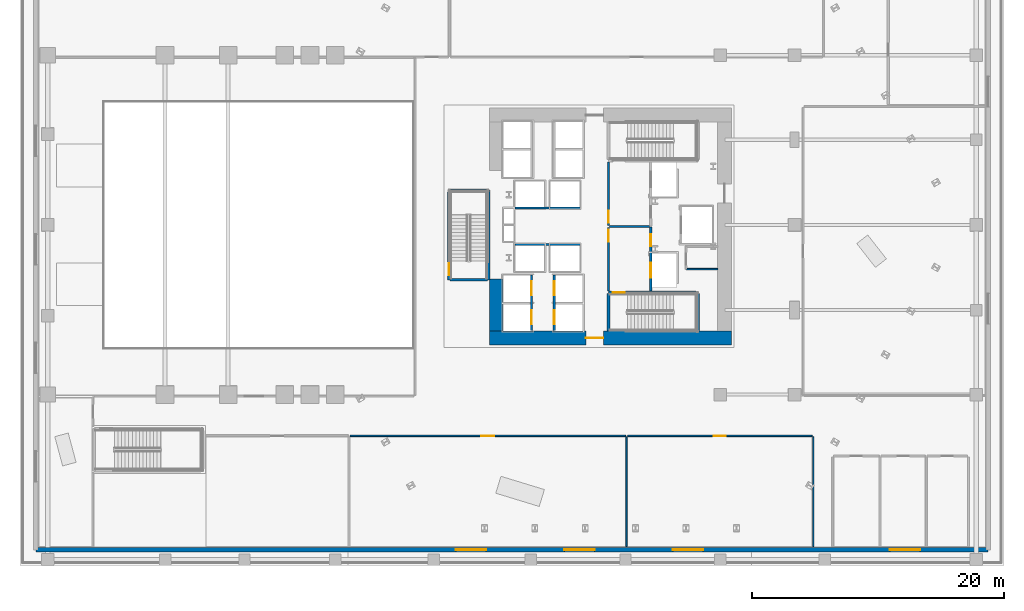
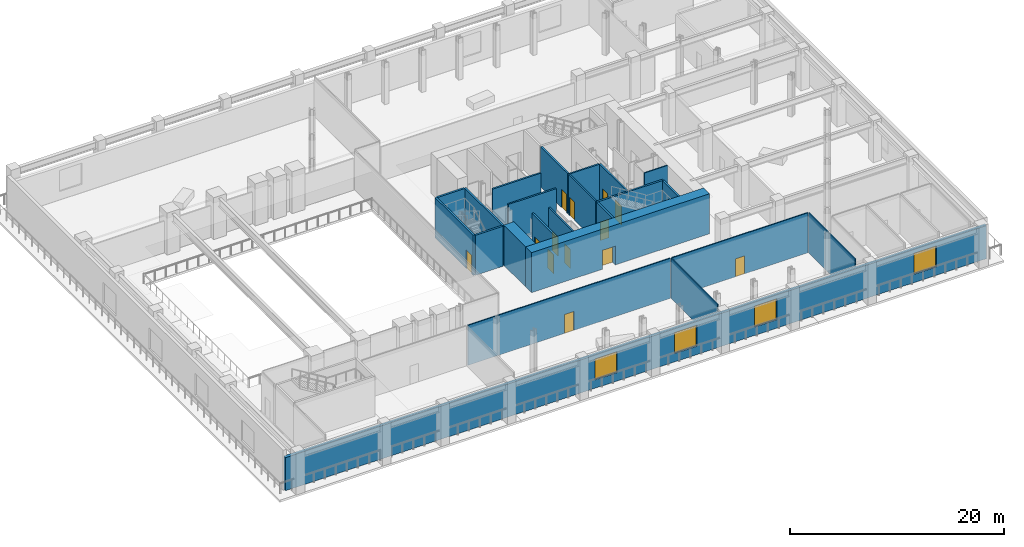
# One storey, part 4 of 19: 23 walls, 13 doors, 4 windows, 17 openings.
"""IFC4 building model written with IfcOpenShell, lengths in metres."""

import ifcopenshell
import ifcopenshell.guid

model = None  # the IFC model being written
_history = None  # IfcOwnerHistory: only IFC2X3 demands one
_inside = {}  # id of a spatial element -> (the spatial element, [elements in it])
_under = {}  # id of a project, library or spatial element -> (it, [spatial elements below it])
_declared = {}  # id of a project -> (the project, [libraries it declares])
_typed = {}  # id of a type object -> (the type object, [elements of that type])
_made_of = {}  # id of a material, layer set ... -> (it, [elements and type objects made of it])


def new_model(schema):
    """Start an empty IFC model of exactly this schema.

    Asked for "IFC4X3", IfcOpenShell would pick the latest addendum, in which some entities
    have other attributes; the version numbers below select the first issue.
    IFC2X3 requires an IfcOwnerHistory on every rooted entity: one is made here for all.
    """
    global model, _history
    if schema == "IFC4X3":
        model = ifcopenshell.file(schema_version=(4, 3, 0, 0))
    else:
        model = ifcopenshell.file(schema=schema)
    _inside.clear()
    _under.clear()
    _declared.clear()
    _typed.clear()
    _made_of.clear()
    _history = None
    if model.schema == "IFC2X3":
        org = make("IfcOrganization", Name="unknown")
        user = make(
            "IfcPersonAndOrganization",
            ThePerson=make("IfcPerson", FamilyName="unknown"),
            TheOrganization=org,
        )
        app = make(
            "IfcApplication",
            ApplicationDeveloper=org,
            Version="unknown",
            ApplicationFullName="unknown",
            ApplicationIdentifier="unknown",
        )
        _history = make(
            "IfcOwnerHistory",
            OwningUser=user,
            OwningApplication=app,
            ChangeAction="ADDED",
            CreationDate=0,
        )
    return model


def make(cls, **values):
    """One entity of the class cls with the attributes given. An attribute that is None is left unset."""
    return model.create_entity(
        cls, **{name: value for name, value in values.items() if value is not None}
    )


def rooted(cls, **values):
    """An entity with a GlobalId (a new one), such as an element, a storey or a relation."""
    return make(cls, GlobalId=ifcopenshell.guid.new(), OwnerHistory=_history, **values)


def si_unit(unit_type, name, prefix=None):
    """IfcSIUnit, for example si_unit("LENGTHUNIT", "METRE", prefix="MILLI")."""
    return make("IfcSIUnit", UnitType=unit_type, Prefix=prefix, Name=name)


def assignment(units):
    """IfcUnitAssignment: the units of a project."""
    return None if units is None else make("IfcUnitAssignment", Units=units)


def point(xyz):
    """IfcCartesianPoint."""
    return None if xyz is None else make("IfcCartesianPoint", Coordinates=xyz)


def direction(xyz):
    """IfcDirection."""
    return None if xyz is None else make("IfcDirection", DirectionRatios=xyz)


def frame(location, z_axis=None, x_axis=None):
    """IfcAxis2Placement3D, a coordinate frame: its origin and axes. An axis left out is left unset."""
    return make(
        "IfcAxis2Placement3D",
        Location=point(location),
        Axis=direction(z_axis),
        RefDirection=direction(x_axis),
    )


def frame_2d(location, x_axis=None):
    """IfcAxis2Placement2D, a coordinate frame in the plane: its origin and x axis."""
    return make(
        "IfcAxis2Placement2D", Location=point(location), RefDirection=direction(x_axis)
    )


def origin():
    """The frame at (0, 0, 0) with its axes left unset."""
    return frame((0.0, 0.0, 0.0))


def place(relative_to, where):
    """IfcLocalPlacement: puts the frame where relative to a parent placement (None: the world)."""
    return make(
        "IfcLocalPlacement", PlacementRelTo=relative_to, RelativePlacement=where
    )


def context(
    kind, dimensions, precision=None, world=None, true_north=None, identifier=None
):
    """IfcGeometricRepresentationContext, for example the 3D "Model" context."""
    return make(
        "IfcGeometricRepresentationContext",
        ContextIdentifier=identifier,
        ContextType=kind,
        CoordinateSpaceDimension=dimensions,
        Precision=precision,
        WorldCoordinateSystem=world,
        TrueNorth=true_north,
    )


def subcontext(parent, identifier, kind, view, scale=None):
    """IfcGeometricRepresentationSubContext, for example "Body" below "Model"."""
    return make(
        "IfcGeometricRepresentationSubContext",
        ContextIdentifier=identifier,
        ContextType=kind,
        ParentContext=parent,
        TargetScale=scale,
        TargetView=view,
    )


def project(units=None, contexts=None):
    """IfcProject with its units and contexts."""
    return rooted(
        "IfcProject",
        Name="project",
        RepresentationContexts=contexts,
        UnitsInContext=assignment(units),
    )


def spatial(cls, under=None, at=None, **own):
    """A site, building, storey or space (cls), placed at a placement, below another one or the project."""
    s = rooted(cls, ObjectPlacement=at, **own)
    if under is not None:
        _under.setdefault(under.id(), (under, []))[1].append(s)
    return s


def profile(cls, at=None, kind="AREA", **sizes):
    """A parametric profile (cls). Its sizes go by their IFC names, for example OverallWidth=200.0."""
    return make(cls, ProfileType=kind, Position=at, **sizes)


def rectangle(**sizes):
    """IfcRectangleProfileDef."""
    return profile("IfcRectangleProfileDef", **sizes)


def extrude(swept, where, along, depth):
    """IfcExtrudedAreaSolid: the profile swept, set in the frame where, extruded along a direction by depth."""
    return make(
        "IfcExtrudedAreaSolid",
        SweptArea=swept,
        Position=where,
        ExtrudedDirection=direction(along),
        Depth=depth,
    )


def shape(context_of_items, identifier, shape_type, items):
    """IfcShapeRepresentation: the items that make up one representation, for example the "Body"."""
    return make(
        "IfcShapeRepresentation",
        ContextOfItems=context_of_items,
        RepresentationIdentifier=identifier,
        RepresentationType=shape_type,
        Items=items,
    )


def material(Name=None, Category=None):
    """IfcMaterial."""
    return make("IfcMaterial", Name=Name, Category=Category)


def layer(
    of_material, thickness, ventilated=None, Name=None, Category=None, Priority=None
):
    """IfcMaterialLayer: one layer of a wall or slab, of a material (None: an air gap)."""
    return make(
        "IfcMaterialLayer",
        Material=of_material,
        LayerThickness=thickness,
        IsVentilated=ventilated,
        Name=Name,
        Category=Category,
        Priority=Priority,
    )


def layer_set(layers, Name=None):
    """IfcMaterialLayerSet."""
    return make("IfcMaterialLayerSet", MaterialLayers=layers, LayerSetName=Name)


def made_of(thing, what):
    """Note that an element or type object is made of a material, layer set ...; save() writes the relation."""
    if what is not None:
        _made_of.setdefault(what.id(), (what, []))[1].append(thing)
    return thing


def type_object(cls, material=None, **own):
    """A type object (cls), such as IfcWallType, which elements share."""
    return made_of(rooted(cls, **own), material)


def element(
    cls,
    number,
    at=None,
    inside=None,
    cuts=None,
    type_object=None,
    material=None,
    context=None,
    identifier="Body",
    shape_type=None,
    held_by="IfcProductDefinitionShape",
    body=None,
    shapes=None,
    **own,
):
    """One element of the class cls, such as IfcWall. Its Tag is "e" and its number.

    at: its placement. inside: the storey or other place that contains it. cuts: it is an
    opening in that element (IfcRelVoidsElement). A single representation is given by context,
    identifier, shape_type and body (its items); several are given by shapes. held_by: the class
    of the entity that holds the representations. save() writes the other relations.
    """
    e = rooted(cls, Tag="e%d" % number, ObjectPlacement=at, **own)
    if body is not None:
        shapes = [shape(context, identifier, shape_type, body)]
    if shapes is not None:
        e.Representation = make(held_by, Representations=shapes)
    if inside is not None:
        _inside.setdefault(inside.id(), (inside, []))[1].append(e)
    if cuts is not None:
        rooted(
            "IfcRelVoidsElement", RelatingBuildingElement=cuts, RelatedOpeningElement=e
        )
    if type_object is not None:
        _typed.setdefault(type_object.id(), (type_object, []))[1].append(e)
    return made_of(e, material)


def fill(opening, filler):
    """IfcRelFillsElement: the door or window that sits in an opening."""
    return rooted(
        "IfcRelFillsElement",
        RelatingOpeningElement=opening,
        RelatedBuildingElement=filler,
    )


def aggregate(whole, parts):
    """IfcRelAggregates: a whole, such as a stair, and the parts it consists of."""
    return rooted("IfcRelAggregates", RelatingObject=whole, RelatedObjects=parts)


def save(model, path):
    """Write the relations noted so far, then the file.

    IfcRelAggregates (storeys below a building ...), IfcRelContainedInSpatialStructure (elements
    in a storey), IfcRelDefinesByType, IfcRelAssociatesMaterial and IfcRelDeclares: one each for
    every whole, place, type object, material and project.
    """
    for whole, parts in _under.values():
        aggregate(whole, parts)
    for where, things in _inside.values():
        rooted(
            "IfcRelContainedInSpatialStructure",
            RelatedElements=things,
            RelatingStructure=where,
        )
    for kind, things in _typed.values():
        rooted("IfcRelDefinesByType", RelatedObjects=things, RelatingType=kind)
    for what, things in _made_of.values():
        rooted("IfcRelAssociatesMaterial", RelatedObjects=things, RelatingMaterial=what)
    for by, libraries in _declared.values():
        rooted("IfcRelDeclares", RelatingContext=by, RelatedDefinitions=libraries)
    model.write(path)


model = new_model("IFC4")

# Units and contexts
model_context = context("Model", 3, precision=1e-05, world=origin(), true_north=direction((0.0, 1.0)))
body_context = subcontext(model_context, "Body", "Model", "MODEL_VIEW")
ifc_project = project(units=[si_unit("LENGTHUNIT", "METRE"), si_unit("AREAUNIT", "SQUARE_METRE"), si_unit("VOLUMEUNIT", "CUBIC_METRE"), si_unit("PLANEANGLEUNIT", "RADIAN"), si_unit("MASSUNIT", "GRAM", prefix="KILO")], contexts=[model_context])

# Site, building, storey
site_placement = place(None, origin())
site = spatial("IfcSite", under=ifc_project, at=site_placement, CompositionType="ELEMENT")
building_placement = place(site_placement, origin())
building = spatial("IfcBuilding", under=site, at=building_placement, Name="Valkerne Bourse Tower", CompositionType="ELEMENT")
storey_placement = place(building_placement, frame((0.0, 0.0, 5.39990234375)))
storey = spatial("IfcBuildingStorey", under=building, at=storey_placement, Name="L01", CompositionType="ELEMENT", Elevation=5.39990234375)

# Wall, opening, door
ifc_material_1 = material(Name="Concrete C70/85", Category="concrete")
ifc_layer_1 = layer(ifc_material_1, 1.10009765625)
ifc_layer_set_1 = layer_set([ifc_layer_1], Name="Concrete C70/85")
wall_type_1 = type_object("IfcWallType", Name="W-CORE-1100", PredefinedType="SHEAR", material=ifc_layer_set_1)
wall_1_placement = place(storey_placement, frame((37.199951171875, 18.050048828125, 0.0), z_axis=(0.0, 0.0, 1.0), x_axis=(1.0, 0.0, 0.0)))
wall_1 = element("IfcWall", 1, at=wall_1_placement, inside=storey, type_object=wall_type_1, Name="L01 Core Shear Wall SOUTH", PredefinedType="SHEAR", context=body_context, shape_type="SweptSolid", body=[
    extrude(rectangle(XDim=19.199951171875, YDim=1.10009765625, at=frame_2d((9.60009765625, 0.0))), origin(), (0.0, 0.0, 1.0), 4.56005859375),
])
opening_1_placement = place(wall_1_placement, frame((7.64990234375, 0.0, 0.0)))
opening_1 = element("IfcOpeningElement", 2, at=opening_1_placement, cuts=wall_1, Name="Opening D-PL-1400", PredefinedType="OPENING", context=body_context, shape_type="SweptSolid", body=[
    extrude(rectangle(XDim=1.39990234375, YDim=2.14990234375, at=frame_2d((0.699951171875, 1.074951171875))), frame((0.0, 0.56005859375, 0.0), z_axis=(0.0, -1.0, 0.0), x_axis=(1.0, 0.0, 0.0)), (0.0, 0.0, 1.0), 1.1201171875),
])
ifc_material_2 = material(Name="Galvanised Painted Steel", Category="steel")
door_type_1 = type_object("IfcDoorType", Name="DR-PLT-1400", OperationType="DOUBLE_DOOR_SINGLE_SWING", PredefinedType="DOOR", material=ifc_material_2)
door_1_placement = place(opening_1_placement, origin())
door_1 = element("IfcDoor", 3, at=door_1_placement, inside=storey, type_object=door_type_1, Name="L01 South Passenger Lift Hall Fire Door", OperationType="DOUBLE_DOOR_SINGLE_SWING", OverallHeight=2.14990234375, OverallWidth=1.39990234375, PredefinedType="DOOR", context=body_context, shape_type="SweptSolid", body=[
    extrude(rectangle(XDim=1.39990234375, YDim=2.14990234375, at=frame_2d((0.699951171875, 1.074951171875))), frame((0.0, 0.02490234375, 0.0), z_axis=(0.0, -1.0, 0.0), x_axis=(1.0, 0.0, 0.0)), (0.0, 0.0, 1.0), 0.050048828125),
])
fill(opening_1, door_1)

# Walls
wall_2_placement = place(storey_placement, frame((37.75, 18.60009765625, 0.0), z_axis=(0.0, 0.0, 1.0), x_axis=(0.0, 1.0, 0.0)))
element("IfcWall", 4, at=wall_2_placement, inside=storey, type_object=wall_type_1, Name="L01 Core Shear Wall WEST-S", PredefinedType="SHEAR", context=body_context, shape_type="SweptSolid", body=[
    extrude(rectangle(XDim=4.099853515625, YDim=1.10009765625, at=frame_2d((2.0498046875, 0.0))), origin(), (0.0, 0.0, 1.0), 4.56005859375),
])
ifc_material_3 = material(Name="Gypsum Board Steel-Stud Partition", Category="steel")
ifc_layer_2 = layer(ifc_material_3, 0.117919921875)
ifc_layer_set_2 = layer_set([ifc_layer_2], Name="Gypsum Board Steel-Stud Partition")
wall_type_2 = type_object("IfcWallType", Name="W-CORR-140", PredefinedType="PARTITIONING", material=ifc_layer_set_2)
wall_3_placement = place(storey_placement, frame((52.800048828125, 23.5, 0.0), z_axis=(0.0, 0.0, 1.0), x_axis=(1.0, 0.0, 0.0)))
element("IfcWall", 5, at=wall_3_placement, inside=storey, type_object=wall_type_2, Name="L01 Core SE North-Bay South Wall", PredefinedType="PARTITIONING", context=body_context, shape_type="SweptSolid", body=[
    extrude(rectangle(XDim=2.52001953125, YDim=0.117919921875, at=frame_2d((1.260009765625, 0.0))), origin(), (0.0, 0.0, 1.0), 4.56005859375),
])
wall_4_placement = place(storey_placement, frame((48.080078125, 1.5, 0.0), z_axis=(0.0, 0.0, 1.0), x_axis=(0.0, 1.0, 0.0)))
element("IfcWall", 6, at=wall_4_placement, inside=storey, type_object=wall_type_2, Name="L01 L01 Committee Conference Room Wall", PredefinedType="PARTITIONING", context=body_context, shape_type="SweptSolid", body=[
    extrude(rectangle(XDim=8.699951171875, YDim=0.117919921875, at=frame_2d((4.35009765625, 0.0))), origin(), (0.0, 0.0, 1.0), 4.56005859375),
])

# Wall, opening, door
wall_5_placement = place(storey_placement, frame((26.159912109375, 10.280029296875, 0.0), z_axis=(0.0, 0.0, 1.0), x_axis=(1.0, 0.0, 0.0)))
wall_5 = element("IfcWall", 7, at=wall_5_placement, inside=storey, type_object=wall_type_2, Name="L01 L01 Committee Conference Room Wall", PredefinedType="PARTITIONING", context=body_context, shape_type="SweptSolid", body=[
    extrude(rectangle(XDim=21.840087890625, YDim=0.117919921875, at=frame_2d((10.919921875, 0.0))), origin(), (0.0, 0.0, 1.0), 4.56005859375),
])
opening_2_placement = place(wall_5_placement, frame((10.419921875, 0.0, 0.0)))
opening_2 = element("IfcOpeningElement", 8, at=opening_2_placement, cuts=wall_5, Name="Opening D-MG-1000", PredefinedType="OPENING", context=body_context, shape_type="SweptSolid", body=[
    extrude(rectangle(XDim=1.0, YDim=2.14990234375, at=frame_2d((0.5, 1.074951171875))), frame((0.0, 0.06884765625, 0.0), z_axis=(0.0, -1.0, 0.0), x_axis=(1.0, 0.0, 0.0)), (0.0, 0.0, 1.0), 0.137939453125),
])
ifc_material_4 = material(Name="Laminated Tempered Safety Glass", Category="glass")
door_type_2 = type_object("IfcDoorType", Name="DR-MTG-1000", OperationType="NOTDEFINED", PredefinedType="DOOR", material=ifc_material_4)
door_2_placement = place(opening_2_placement, origin())
door_2 = element("IfcDoor", 9, at=door_2_placement, inside=storey, type_object=door_type_2, Name="L01 L01 Committee Conference Door", OperationType="SINGLE_SWING_RIGHT", OverallHeight=2.14990234375, OverallWidth=1.0, PredefinedType="DOOR", context=body_context, shape_type="SweptSolid", body=[
    extrude(rectangle(XDim=1.0, YDim=2.14990234375, at=frame_2d((0.5, 1.074951171875))), frame((0.0, 0.02490234375, 0.0), z_axis=(0.0, -1.0, 0.0), x_axis=(1.0, 0.0, 0.0)), (0.0, 0.0, 1.0), 0.050048828125),
])
fill(opening_2, door_2)

# Wall
wall_6_placement = place(storey_placement, frame((62.8798828125, 1.5, 0.0), z_axis=(0.0, 0.0, 1.0), x_axis=(0.0, 1.0, 0.0)))
element("IfcWall", 10, at=wall_6_placement, inside=storey, type_object=wall_type_2, Name="L01 L01 Archive & Supplies Store Wall", PredefinedType="PARTITIONING", context=body_context, shape_type="SweptSolid", body=[
    extrude(rectangle(XDim=8.699951171875, YDim=0.117919921875, at=frame_2d((4.35009765625, 0.0))), origin(), (0.0, 0.0, 1.0), 4.56005859375),
])

# Wall, opening, door
wall_7_placement = place(storey_placement, frame((48.159912109375, 10.280029296875, 0.0), z_axis=(0.0, 0.0, 1.0), x_axis=(1.0, 0.0, 0.0)))
wall_7 = element("IfcWall", 11, at=wall_7_placement, inside=storey, type_object=wall_type_2, Name="L01 L01 Archive & Supplies Store Wall", PredefinedType="PARTITIONING", context=body_context, shape_type="SweptSolid", body=[
    extrude(rectangle(XDim=14.64013671875, YDim=0.117919921875, at=frame_2d((7.320068359375, 0.0))), origin(), (0.0, 0.0, 1.0), 4.56005859375),
])
opening_3_placement = place(wall_7_placement, frame((6.844970703125, 0.0, 0.0)))
opening_3 = element("IfcOpeningElement", 12, at=opening_3_placement, cuts=wall_7, Name="Opening D-SV-950", PredefinedType="OPENING", context=body_context, shape_type="SweptSolid", body=[
    extrude(rectangle(XDim=0.949951171875, YDim=2.050048828125, at=frame_2d((0.47509765625, 1.02490234375))), frame((0.0, 0.06884765625, 0.0), z_axis=(0.0, -1.0, 0.0), x_axis=(1.0, 0.0, 0.0)), (0.0, 0.0, 1.0), 0.137939453125),
])
door_type_3 = type_object("IfcDoorType", Name="DR-SRV-950", OperationType="NOTDEFINED", PredefinedType="DOOR", material=ifc_material_2)
door_3_placement = place(opening_3_placement, origin())
door_3 = element("IfcDoor", 13, at=door_3_placement, inside=storey, type_object=door_type_3, Name="L01 L01 Archive Store Door", OperationType="SINGLE_SWING_RIGHT", OverallHeight=2.050048828125, OverallWidth=0.949951171875, PredefinedType="DOOR", context=body_context, shape_type="SweptSolid", body=[
    extrude(rectangle(XDim=0.949951171875, YDim=2.050048828125, at=frame_2d((0.47509765625, 1.02490234375))), frame((0.0, 0.02490234375, 0.0), z_axis=(0.0, -1.0, 0.0), x_axis=(1.0, 0.0, 0.0)), (0.0, 0.0, 1.0), 0.050048828125),
])
fill(opening_3, door_3)

# Wall, openings, windows
ifc_material_5 = material(Name="Indiana Limestone Cladding", Category="masonry")
ifc_layer_3 = layer(ifc_material_5, 0.35009765625)
ifc_layer_set_3 = layer_set([ifc_layer_3], Name="Indiana Limestone Cladding")
wall_type_3 = type_object("IfcWallType", Name="W-EXT-LIMESTONE-350", PredefinedType="STANDARD", material=ifc_layer_set_3)
wall_8_placement = place(storey_placement, frame((76.75, 1.25, 0.0), z_axis=(0.0, 0.0, 1.0), x_axis=(-1.0, 0.0, 0.0)))
wall_8 = element("IfcWall", 14, at=wall_8_placement, inside=storey, type_object=wall_type_3, Name="L01 Podium Exterior Wall SOUTH", PredefinedType="STANDARD", context=body_context, shape_type="SweptSolid", body=[
    extrude(rectangle(XDim=75.5, YDim=0.35009765625, at=frame_2d((37.75, 0.0))), origin(), (0.0, 0.0, 1.0), 3.769287109375),
])
opening_4_placement = place(wall_8_placement, frame((5.39990234375, 0.0, 0.949951171875)))
opening_4 = element("IfcOpeningElement", 15, at=opening_4_placement, cuts=wall_8, Name="Opening WN-02", PredefinedType="OPENING", context=body_context, shape_type="SweptSolid", body=[
    extrude(rectangle(XDim=2.39990234375, YDim=2.39990234375, at=frame_2d((1.199951171875, 1.199951171875))), frame((0.0, 0.18505859375, 0.0), z_axis=(0.0, -1.0, 0.0), x_axis=(1.0, 0.0, 0.0)), (0.0, 0.0, 1.0), 0.3701171875),
])
opening_5_placement = place(wall_8_placement, frame((22.60009765625, 0.0, 0.949951171875)))
opening_5 = element("IfcOpeningElement", 16, at=opening_5_placement, cuts=wall_8, Name="Opening WN-02", PredefinedType="OPENING", context=body_context, shape_type="SweptSolid", body=[
    extrude(rectangle(XDim=2.39990234375, YDim=2.39990234375, at=frame_2d((1.199951171875, 1.199951171875))), frame((0.0, 0.18505859375, 0.0), z_axis=(0.0, -1.0, 0.0), x_axis=(1.0, 0.0, 0.0)), (0.0, 0.0, 1.0), 0.3701171875),
])
opening_6_placement = place(wall_8_placement, frame((31.199951171875, 0.0, 0.949951171875)))
opening_6 = element("IfcOpeningElement", 17, at=opening_6_placement, cuts=wall_8, Name="Opening WN-02", PredefinedType="OPENING", context=body_context, shape_type="SweptSolid", body=[
    extrude(rectangle(XDim=2.39990234375, YDim=2.39990234375, at=frame_2d((1.199951171875, 1.199951171875))), frame((0.0, 0.18505859375, 0.0), z_axis=(0.0, -1.0, 0.0), x_axis=(1.0, 0.0, 0.0)), (0.0, 0.0, 1.0), 0.3701171875),
])
opening_7_placement = place(wall_8_placement, frame((39.800048828125, 0.0, 0.949951171875)))
opening_7 = element("IfcOpeningElement", 18, at=opening_7_placement, cuts=wall_8, Name="Opening WN-02", PredefinedType="OPENING", context=body_context, shape_type="SweptSolid", body=[
    extrude(rectangle(XDim=2.39990234375, YDim=2.39990234375, at=frame_2d((1.199951171875, 1.199951171875))), frame((0.0, 0.18505859375, 0.0), z_axis=(0.0, -1.0, 0.0), x_axis=(1.0, 0.0, 0.0)), (0.0, 0.0, 1.0), 0.3701171875),
])
ifc_material_6 = material(Name="Glass IGU Low-E Double Glazed", Category="glass")
window_type = type_object("IfcWindowType", Name="WIN-POD-2400X2400", PartitioningType="SINGLE_PANEL", PredefinedType="WINDOW", material=ifc_material_6)
window_1_placement = place(opening_4_placement, origin())
window_1 = element("IfcWindow", 19, at=window_1_placement, inside=storey, type_object=window_type, Name="L01 Podium Low-E Window 12", OverallHeight=2.39990234375, OverallWidth=2.39990234375, PartitioningType="SINGLE_PANEL", PredefinedType="WINDOW", context=body_context, shape_type="SweptSolid", body=[
    extrude(rectangle(XDim=2.39990234375, YDim=2.39990234375, at=frame_2d((1.199951171875, 1.199951171875))), frame((0.0, 0.030029296875, 0.0), z_axis=(0.0, -1.0, 0.0), x_axis=(1.0, 0.0, 0.0)), (0.0, 0.0, 1.0), 0.06005859375),
])
fill(opening_4, window_1)
window_2_placement = place(opening_5_placement, origin())
window_2 = element("IfcWindow", 20, at=window_2_placement, inside=storey, type_object=window_type, Name="L01 Podium Low-E Window 13", OverallHeight=2.39990234375, OverallWidth=2.39990234375, PartitioningType="SINGLE_PANEL", PredefinedType="WINDOW", context=body_context, shape_type="SweptSolid", body=[
    extrude(rectangle(XDim=2.39990234375, YDim=2.39990234375, at=frame_2d((1.199951171875, 1.199951171875))), frame((0.0, 0.030029296875, 0.0), z_axis=(0.0, -1.0, 0.0), x_axis=(1.0, 0.0, 0.0)), (0.0, 0.0, 1.0), 0.06005859375),
])
fill(opening_5, window_2)
window_3_placement = place(opening_6_placement, origin())
window_3 = element("IfcWindow", 21, at=window_3_placement, inside=storey, type_object=window_type, Name="L01 Podium Low-E Window 14", OverallHeight=2.39990234375, OverallWidth=2.39990234375, PartitioningType="SINGLE_PANEL", PredefinedType="WINDOW", context=body_context, shape_type="SweptSolid", body=[
    extrude(rectangle(XDim=2.39990234375, YDim=2.39990234375, at=frame_2d((1.199951171875, 1.199951171875))), frame((0.0, 0.030029296875, 0.0), z_axis=(0.0, -1.0, 0.0), x_axis=(1.0, 0.0, 0.0)), (0.0, 0.0, 1.0), 0.06005859375),
])
fill(opening_6, window_3)
window_4_placement = place(opening_7_placement, origin())
window_4 = element("IfcWindow", 22, at=window_4_placement, inside=storey, type_object=window_type, Name="L01 Podium Low-E Window 15", OverallHeight=2.39990234375, OverallWidth=2.39990234375, PartitioningType="SINGLE_PANEL", PredefinedType="WINDOW", context=body_context, shape_type="SweptSolid", body=[
    extrude(rectangle(XDim=2.39990234375, YDim=2.39990234375, at=frame_2d((1.199951171875, 1.199951171875))), frame((0.0, 0.030029296875, 0.0), z_axis=(0.0, -1.0, 0.0), x_axis=(1.0, 0.0, 0.0)), (0.0, 0.0, 1.0), 0.06005859375),
])
fill(opening_7, window_4)

# Wall
ifc_material_7 = material(Name="Gypsum Fire-Rated Shaftwall", Category="gypsum")
ifc_layer_4 = layer(ifc_material_7, 0.179931640625)
ifc_layer_set_4 = layer_set([ifc_layer_4], Name="Gypsum Fire-Rated Shaftwall")
wall_type_4 = type_object("IfcWallType", Name="W-FSAE-180", PredefinedType="PARTITIONING", material=ifc_layer_set_4)
wall_9_placement = place(storey_placement, frame((46.739990234375, 26.8798828125, 0.0), z_axis=(0.0, 0.0, 1.0), x_axis=(1.0, 0.0, 0.0)))
element("IfcWall", 23, at=wall_9_placement, inside=storey, type_object=wall_type_4, Name="L01 FSAE-1/2 Lobby Dividing Fire Wall", PredefinedType="PARTITIONING", context=body_context, shape_type="SweptSolid", body=[
    extrude(rectangle(XDim=3.169921875, YDim=0.179931640625, at=frame_2d((1.5849609375, 0.0))), origin(), (0.0, 0.0, 1.0), 4.56005859375),
])

# Wall, opening, door
wall_10_placement = place(storey_placement, frame((46.64990234375, 21.75, 0.0), z_axis=(0.0, 0.0, 1.0), x_axis=(0.0, 1.0, 0.0)))
wall_10 = element("IfcWall", 24, at=wall_10_placement, inside=storey, type_object=wall_type_4, Name="L01 FSAE-1 Lobby West Fire Wall", PredefinedType="PARTITIONING", context=body_context, shape_type="SweptSolid", body=[
    extrude(rectangle(XDim=5.050048828125, YDim=0.179931640625, at=frame_2d((2.52490234375, 0.0))), origin(), (0.0, 0.0, 1.0), 4.56005859375),
])
opening_8_placement = place(wall_10_placement, frame((3.919921875, 0.0, 0.0)))
opening_8 = element("IfcOpeningElement", 25, at=opening_8_placement, cuts=wall_10, Name="Opening D-FS-950", PredefinedType="OPENING", context=body_context, shape_type="SweptSolid", body=[
    extrude(rectangle(XDim=0.949951171875, YDim=2.10009765625, at=frame_2d((0.47509765625, 1.050048828125))), frame((0.0, 0.099853515625, 0.0), z_axis=(0.0, -1.0, 0.0), x_axis=(1.0, 0.0, 0.0)), (0.0, 0.0, 1.0), 0.199951171875),
])
door_type_4 = type_object("IfcDoorType", Name="DR-FSAE-950", OperationType="NOTDEFINED", PredefinedType="DOOR", material=ifc_material_2)
door_4_placement = place(opening_8_placement, origin())
door_4 = element("IfcDoor", 26, at=door_4_placement, inside=storey, type_object=door_type_4, Name="L01 FSAE-1 Hall Link Fire Door", OperationType="SINGLE_SWING_LEFT", OverallHeight=2.10009765625, OverallWidth=0.949951171875, PredefinedType="DOOR", context=body_context, shape_type="SweptSolid", body=[
    extrude(rectangle(XDim=0.949951171875, YDim=2.10009765625, at=frame_2d((0.47509765625, 1.050048828125))), frame((0.0, 0.02490234375, 0.0), z_axis=(0.0, -1.0, 0.0), x_axis=(1.0, 0.0, 0.0)), (0.0, 0.0, 1.0), 0.050048828125),
])
fill(opening_8, door_4)

wall_11_placement = place(storey_placement, frame((46.64990234375, 26.9599609375, 0.0), z_axis=(0.0, 0.0, 1.0), x_axis=(0.0, 1.0, 0.0)))
wall_11 = element("IfcWall", 27, at=wall_11_placement, inside=storey, type_object=wall_type_4, Name="L01 FSAE-2 Lobby West Fire Wall", PredefinedType="PARTITIONING", context=body_context, shape_type="SweptSolid", body=[
    extrude(rectangle(XDim=5.0400390625, YDim=0.179931640625, at=frame_2d((2.52001953125, 0.0))), origin(), (0.0, 0.0, 1.0), 4.56005859375),
])
opening_9_placement = place(wall_11_placement, frame((0.219970703125, 0.0, 0.0)))
opening_9 = element("IfcOpeningElement", 28, at=opening_9_placement, cuts=wall_11, Name="Opening D-FS-950", PredefinedType="OPENING", context=body_context, shape_type="SweptSolid", body=[
    extrude(rectangle(XDim=0.949951171875, YDim=2.10009765625, at=frame_2d((0.47509765625, 1.050048828125))), frame((0.0, 0.099853515625, 0.0), z_axis=(0.0, -1.0, 0.0), x_axis=(1.0, 0.0, 0.0)), (0.0, 0.0, 1.0), 0.199951171875),
])
door_5_placement = place(opening_9_placement, origin())
door_5 = element("IfcDoor", 29, at=door_5_placement, inside=storey, type_object=door_type_4, Name="L01 FSAE-2 Hall Link Fire Door", OperationType="SINGLE_SWING_LEFT", OverallHeight=2.10009765625, OverallWidth=0.949951171875, PredefinedType="DOOR", context=body_context, shape_type="SweptSolid", body=[
    extrude(rectangle(XDim=0.949951171875, YDim=2.10009765625, at=frame_2d((0.47509765625, 1.050048828125))), frame((0.0, 0.02490234375, 0.0), z_axis=(0.0, -1.0, 0.0), x_axis=(1.0, 0.0, 0.0)), (0.0, 0.0, 1.0), 0.050048828125),
])
fill(opening_9, door_5)

# Wall, openings, doors
wall_12_placement = place(storey_placement, frame((50.0, 21.75, 0.0), z_axis=(0.0, 0.0, 1.0), x_axis=(0.0, 1.0, 0.0)))
wall_12 = element("IfcWall", 30, at=wall_12_placement, inside=storey, type_object=wall_type_4, Name="L01 FSAE-1 Lobby & Shaft Front Wall", PredefinedType="PARTITIONING", context=body_context, shape_type="SweptSolid", body=[
    extrude(rectangle(XDim=5.090087890625, YDim=0.179931640625, at=frame_2d((2.544921875, 0.0))), origin(), (0.0, 0.0, 1.0), 4.56005859375),
])
opening_10_placement = place(wall_12_placement, frame((1.050048828125, 0.0, 0.0)))
opening_10 = element("IfcOpeningElement", 31, at=opening_10_placement, cuts=wall_12, Name="Opening LD-1200", PredefinedType="OPENING", context=body_context, shape_type="SweptSolid", body=[
    extrude(rectangle(XDim=1.199951171875, YDim=2.14990234375, at=frame_2d((0.60009765625, 1.074951171875))), frame((0.0, 0.099853515625, 0.0), z_axis=(0.0, -1.0, 0.0), x_axis=(1.0, 0.0, 0.0)), (0.0, 0.0, 1.0), 0.199951171875),
])
opening_11_placement = place(wall_12_placement, frame((3.550048828125, 0.0, 0.0)))
opening_11 = element("IfcOpeningElement", 32, at=opening_11_placement, cuts=wall_12, Name="Opening D-FS-950", PredefinedType="OPENING", context=body_context, shape_type="SweptSolid", body=[
    extrude(rectangle(XDim=0.949951171875, YDim=2.10009765625, at=frame_2d((0.47509765625, 1.050048828125))), frame((0.0, 0.099853515625, 0.0), z_axis=(0.0, -1.0, 0.0), x_axis=(1.0, 0.0, 0.0)), (0.0, 0.0, 1.0), 0.199951171875),
])
door_6_placement = place(opening_11_placement, origin())
door_6 = element("IfcDoor", 33, at=door_6_placement, inside=storey, type_object=door_type_4, Name="L01 FSAE-1 Lobby Corridor Fire Door", OperationType="SINGLE_SWING_LEFT", OverallHeight=2.10009765625, OverallWidth=0.949951171875, PredefinedType="DOOR", context=body_context, shape_type="SweptSolid", body=[
    extrude(rectangle(XDim=0.949951171875, YDim=2.10009765625, at=frame_2d((0.47509765625, 1.050048828125))), frame((0.0, 0.02490234375, 0.0), z_axis=(0.0, -1.0, 0.0), x_axis=(1.0, 0.0, 0.0)), (0.0, 0.0, 1.0), 0.050048828125),
])
fill(opening_11, door_6)
ifc_material_8 = material(Name="Stainless Steel AISI 316", Category="steel")
door_type_5 = type_object("IfcDoorType", Name="DR-LIFT-1200", OperationType="DOUBLE_DOOR_SLIDING", PredefinedType="DOOR", material=ifc_material_8)
door_7_placement = place(opening_10_placement, origin())
door_7 = element("IfcDoor", 34, at=door_7_placement, inside=storey, type_object=door_type_5, Name="L01 FSAE-1 Firefighting Lift Landing Door", OperationType="DOUBLE_DOOR_SLIDING", OverallHeight=2.14990234375, OverallWidth=1.199951171875, PredefinedType="DOOR", context=body_context, shape_type="SweptSolid", body=[
    extrude(rectangle(XDim=1.199951171875, YDim=2.14990234375, at=frame_2d((0.60009765625, 1.074951171875))), frame((0.0, 0.02490234375, 0.0), z_axis=(0.0, -1.0, 0.0), x_axis=(1.0, 0.0, 0.0)), (0.0, 0.0, 1.0), 0.050048828125),
])
fill(opening_10, door_7)

ifc_material_9 = material(Name="CMU Blockwork Masonry 200mm", Category="masonry")
ifc_layer_5 = layer(ifc_material_9, 0.179931640625)
ifc_layer_set_5 = layer_set([ifc_layer_5], Name="CMU Blockwork Masonry 200mm")
wall_type_5 = type_object("IfcWallType", Name="W-LFT-180", PredefinedType="SOLIDWALL", material=ifc_layer_set_5)
wall_13_placement = place(storey_placement, frame((40.550048828125, 18.6201171875, 0.0), z_axis=(0.0, 0.0, 1.0), x_axis=(0.0, 1.0, 0.0)))
wall_13 = element("IfcWall", 35, at=wall_13_placement, inside=storey, type_object=wall_type_5, Name="L01 Low-Zone West Cars Front Wall", PredefinedType="SOLIDWALL", context=body_context, shape_type="SweptSolid", body=[
    extrude(rectangle(XDim=4.429931640625, YDim=0.179931640625, at=frame_2d((2.21484375, 0.0))), origin(), (0.0, 0.0, 1.0), 4.56005859375),
])
opening_12_placement = place(wall_13_placement, frame((0.5, 0.0, 0.0)))
opening_12 = element("IfcOpeningElement", 36, at=opening_12_placement, cuts=wall_13, Name="Opening LD-1100", PredefinedType="OPENING", context=body_context, shape_type="SweptSolid", body=[
    extrude(rectangle(XDim=1.10009765625, YDim=2.14990234375, at=frame_2d((0.550048828125, 1.074951171875))), frame((0.0, 0.099853515625, 0.0), z_axis=(0.0, -1.0, 0.0), x_axis=(1.0, 0.0, 0.0)), (0.0, 0.0, 1.0), 0.199951171875),
])
opening_13_placement = place(wall_13_placement, frame((2.800048828125, 0.0, 0.0)))
opening_13 = element("IfcOpeningElement", 37, at=opening_13_placement, cuts=wall_13, Name="Opening LD-1100", PredefinedType="OPENING", context=body_context, shape_type="SweptSolid", body=[
    extrude(rectangle(XDim=1.10009765625, YDim=2.14990234375, at=frame_2d((0.550048828125, 1.074951171875))), frame((0.0, 0.099853515625, 0.0), z_axis=(0.0, -1.0, 0.0), x_axis=(1.0, 0.0, 0.0)), (0.0, 0.0, 1.0), 0.199951171875),
])
door_type_6 = type_object("IfcDoorType", Name="DR-LIFT-1100", OperationType="DOUBLE_DOOR_SLIDING", PredefinedType="DOOR", material=ifc_material_8)
door_8_placement = place(opening_12_placement, origin())
door_8 = element("IfcDoor", 38, at=door_8_placement, inside=storey, type_object=door_type_6, Name="L01 Passenger Lift PL-L1 Sliding Landing Door", OperationType="DOUBLE_DOOR_SLIDING", OverallHeight=2.14990234375, OverallWidth=1.10009765625, PredefinedType="DOOR", context=body_context, shape_type="SweptSolid", body=[
    extrude(rectangle(XDim=1.10009765625, YDim=2.14990234375, at=frame_2d((0.550048828125, 1.074951171875))), frame((0.0, 0.02490234375, 0.0), z_axis=(0.0, -1.0, 0.0), x_axis=(1.0, 0.0, 0.0)), (0.0, 0.0, 1.0), 0.050048828125),
])
fill(opening_12, door_8)
door_9_placement = place(opening_13_placement, origin())
door_9 = element("IfcDoor", 39, at=door_9_placement, inside=storey, type_object=door_type_6, Name="L01 Passenger Lift PL-L2 Sliding Landing Door", OperationType="DOUBLE_DOOR_SLIDING", OverallHeight=2.14990234375, OverallWidth=1.10009765625, PredefinedType="DOOR", context=body_context, shape_type="SweptSolid", body=[
    extrude(rectangle(XDim=1.10009765625, YDim=2.14990234375, at=frame_2d((0.550048828125, 1.074951171875))), frame((0.0, 0.02490234375, 0.0), z_axis=(0.0, -1.0, 0.0), x_axis=(1.0, 0.0, 0.0)), (0.0, 0.0, 1.0), 0.050048828125),
])
fill(opening_13, door_9)

wall_14_placement = place(storey_placement, frame((42.35009765625, 18.6201171875, 0.0), z_axis=(0.0, 0.0, 1.0), x_axis=(0.0, 1.0, 0.0)))
wall_14 = element("IfcWall", 40, at=wall_14_placement, inside=storey, type_object=wall_type_5, Name="L01 Low-Zone East Cars Front Wall", PredefinedType="SOLIDWALL", context=body_context, shape_type="SweptSolid", body=[
    extrude(rectangle(XDim=4.429931640625, YDim=0.179931640625, at=frame_2d((2.21484375, 0.0))), origin(), (0.0, 0.0, 1.0), 4.56005859375),
])
opening_14_placement = place(wall_14_placement, frame((0.5, 0.0, 0.0)))
opening_14 = element("IfcOpeningElement", 41, at=opening_14_placement, cuts=wall_14, Name="Opening LD-1100", PredefinedType="OPENING", context=body_context, shape_type="SweptSolid", body=[
    extrude(rectangle(XDim=1.10009765625, YDim=2.14990234375, at=frame_2d((0.550048828125, 1.074951171875))), frame((0.0, 0.099853515625, 0.0), z_axis=(0.0, -1.0, 0.0), x_axis=(1.0, 0.0, 0.0)), (0.0, 0.0, 1.0), 0.199951171875),
])
opening_15_placement = place(wall_14_placement, frame((2.800048828125, 0.0, 0.0)))
opening_15 = element("IfcOpeningElement", 42, at=opening_15_placement, cuts=wall_14, Name="Opening LD-1100", PredefinedType="OPENING", context=body_context, shape_type="SweptSolid", body=[
    extrude(rectangle(XDim=1.10009765625, YDim=2.14990234375, at=frame_2d((0.550048828125, 1.074951171875))), frame((0.0, 0.099853515625, 0.0), z_axis=(0.0, -1.0, 0.0), x_axis=(1.0, 0.0, 0.0)), (0.0, 0.0, 1.0), 0.199951171875),
])
door_10_placement = place(opening_14_placement, origin())
door_10 = element("IfcDoor", 43, at=door_10_placement, inside=storey, type_object=door_type_6, Name="L01 Passenger Lift PL-L3 Sliding Landing Door", OperationType="DOUBLE_DOOR_SLIDING", OverallHeight=2.14990234375, OverallWidth=1.10009765625, PredefinedType="DOOR", context=body_context, shape_type="SweptSolid", body=[
    extrude(rectangle(XDim=1.10009765625, YDim=2.14990234375, at=frame_2d((0.550048828125, 1.074951171875))), frame((0.0, 0.02490234375, 0.0), z_axis=(0.0, -1.0, 0.0), x_axis=(1.0, 0.0, 0.0)), (0.0, 0.0, 1.0), 0.050048828125),
])
fill(opening_14, door_10)
door_11_placement = place(opening_15_placement, origin())
door_11 = element("IfcDoor", 44, at=door_11_placement, inside=storey, type_object=door_type_6, Name="L01 Passenger Lift PL-L4 Sliding Landing Door", OperationType="DOUBLE_DOOR_SLIDING", OverallHeight=2.14990234375, OverallWidth=1.10009765625, PredefinedType="DOOR", context=body_context, shape_type="SweptSolid", body=[
    extrude(rectangle(XDim=1.10009765625, YDim=2.14990234375, at=frame_2d((0.550048828125, 1.074951171875))), frame((0.0, 0.02490234375, 0.0), z_axis=(0.0, -1.0, 0.0), x_axis=(1.0, 0.0, 0.0)), (0.0, 0.0, 1.0), 0.050048828125),
])
fill(opening_15, door_11)

# Walls
for number, where, z_axis, x_axis, name in (
    (45, (39.25, 25.449951171875, 0.0), (0.0, 0.0, 1.0), (1.0, 0.0, 0.0), "L01 High-Zone South Cars Front Wall"),
    (46, (39.25, 28.35009765625, 0.0), (0.0, 0.0, 1.0), (1.0, 0.0, 0.0), "L01 High-Zone North Cars Front Wall"),
):
    element("IfcWall", number, at=place(storey_placement, frame(where, z_axis=z_axis, x_axis=x_axis)), inside=storey, type_object=wall_type_5, Name=name, PredefinedType="SOLIDWALL", context=body_context, shape_type="SweptSolid", body=[
        extrude(rectangle(XDim=5.199951171875, YDim=0.179931640625, at=frame_2d((2.60009765625, 0.0))), origin(), (0.0, 0.0, 1.0), 4.56005859375),
    ])

# Wall, opening, door
ifc_material_10 = material(Name="Concrete C40/50", Category="concrete")
ifc_layer_6 = layer(ifc_material_10, 0.199951171875)
ifc_layer_set_6 = layer_set([ifc_layer_6], Name="Concrete C40/50")
wall_type_6 = type_object("IfcWallType", Name="W-SHF-200", PredefinedType="SHEAR", material=ifc_layer_set_6)
wall_15_placement = place(storey_placement, frame((46.64990234375, 21.64990234375, 0.0), z_axis=(0.0, 0.0, 1.0), x_axis=(1.0, 0.0, 0.0)))
wall_15 = element("IfcWall", 47, at=wall_15_placement, inside=storey, type_object=wall_type_6, Name="L01 Exit Stair ST-1 Structural Shaft Wall North", PredefinedType="SHEAR", context=body_context, shape_type="SweptSolid", body=[
    extrude(rectangle(XDim=7.10009765625, YDim=0.199951171875, at=frame_2d((3.550048828125, 0.0))), origin(), (0.0, 0.0, 1.0), 4.56005859375),
])
opening_16_placement = place(wall_15_placement, frame((0.35009765625, 0.0, 0.0)))
opening_16 = element("IfcOpeningElement", 48, at=opening_16_placement, cuts=wall_15, Name="Opening D-ST-950", PredefinedType="OPENING", context=body_context, shape_type="SweptSolid", body=[
    extrude(rectangle(XDim=0.949951171875, YDim=2.10009765625, at=frame_2d((0.47509765625, 1.050048828125))), frame((0.0, 0.10986328125, 0.0), z_axis=(0.0, -1.0, 0.0), x_axis=(1.0, 0.0, 0.0)), (0.0, 0.0, 1.0), 0.219970703125),
])
door_type_7 = type_object("IfcDoorType", Name="DR-STAIR-950", OperationType="NOTDEFINED", PredefinedType="DOOR", material=ifc_material_2)
door_12_placement = place(opening_16_placement, origin())
door_12 = element("IfcDoor", 49, at=door_12_placement, inside=storey, type_object=door_type_7, Name="L01 Exit Stair ST-1 Door", OperationType="SINGLE_SWING_RIGHT", OverallHeight=2.10009765625, OverallWidth=0.949951171875, PredefinedType="DOOR", context=body_context, shape_type="SweptSolid", body=[
    extrude(rectangle(XDim=0.949951171875, YDim=2.10009765625, at=frame_2d((0.47509765625, 1.050048828125))), frame((0.0, 0.02490234375, 0.0), z_axis=(0.0, -1.0, 0.0), x_axis=(1.0, 0.0, 0.0)), (0.0, 0.0, 1.0), 0.050048828125),
])
fill(opening_16, door_12)

# Walls
for number, where, z_axis, x_axis, name in (
    (50, (46.64990234375, 18.60009765625, 0.0), (0.0, 0.0, 1.0), (0.0, 1.0, 0.0), "L01 Exit Stair ST-1 Structural Shaft Wall West"),
    (51, (53.75, 18.60009765625, 0.0), (0.0, 0.0, 1.0), (0.0, 1.0, 0.0), "L01 Exit Stair ST-1 Structural Shaft Wall East"),
):
    element("IfcWall", number, at=place(storey_placement, frame(where, z_axis=z_axis, x_axis=x_axis)), inside=storey, type_object=wall_type_6, Name=name, PredefinedType="SHEAR", context=body_context, shape_type="SweptSolid", body=[
        extrude(rectangle(XDim=2.949951171875, YDim=0.199951171875, at=frame_2d((1.47509765625, 0.0))), origin(), (0.0, 0.0, 1.0), 4.56005859375),
    ])

# Wall, opening, door
wall_16_placement = place(storey_placement, frame((34.0, 22.64990234375, 0.0), z_axis=(0.0, 0.0, 1.0), x_axis=(0.0, 1.0, 0.0)))
wall_16 = element("IfcWall", 52, at=wall_16_placement, inside=storey, type_object=wall_type_6, Name="L01 Exit Stair ST-3 Structural Shaft Wall West", PredefinedType="SHEAR", context=body_context, shape_type="SweptSolid", body=[
    extrude(rectangle(XDim=7.10009765625, YDim=0.199951171875, at=frame_2d((3.550048828125, 0.0))), origin(), (0.0, 0.0, 1.0), 4.56005859375),
])
opening_17_placement = place(wall_16_placement, frame((0.35009765625, 0.0, 0.0)))
opening_17 = element("IfcOpeningElement", 53, at=opening_17_placement, cuts=wall_16, Name="Opening D-ST-950", PredefinedType="OPENING", context=body_context, shape_type="SweptSolid", body=[
    extrude(rectangle(XDim=0.949951171875, YDim=2.10009765625, at=frame_2d((0.47509765625, 1.050048828125))), frame((0.0, 0.10986328125, 0.0), z_axis=(0.0, -1.0, 0.0), x_axis=(1.0, 0.0, 0.0)), (0.0, 0.0, 1.0), 0.219970703125),
])
door_13_placement = place(opening_17_placement, origin())
door_13 = element("IfcDoor", 54, at=door_13_placement, inside=storey, type_object=door_type_7, Name="L01 Exit Stair ST-3 Door", OperationType="SINGLE_SWING_LEFT", OverallHeight=2.10009765625, OverallWidth=0.949951171875, PredefinedType="DOOR", context=body_context, shape_type="SweptSolid", body=[
    extrude(rectangle(XDim=0.949951171875, YDim=2.10009765625, at=frame_2d((0.47509765625, 1.050048828125))), frame((0.0, 0.02490234375, 0.0), z_axis=(0.0, -1.0, 0.0), x_axis=(1.0, 0.0, 0.0)), (0.0, 0.0, 1.0), 0.050048828125),
])
fill(opening_17, door_13)

# Walls
for number, where, z_axis, x_axis, name in (
    (55, (34.10009765625, 22.64990234375, 0.0), (0.0, 0.0, 1.0), (1.0, 0.0, 0.0), "L01 Exit Stair ST-3 Structural Shaft Wall South"),
    (56, (34.10009765625, 29.75, 0.0), (0.0, 0.0, 1.0), (1.0, 0.0, 0.0), "L01 Exit Stair ST-3 Structural Shaft Wall North"),
):
    element("IfcWall", number, at=place(storey_placement, frame(where, z_axis=z_axis, x_axis=x_axis)), inside=storey, type_object=wall_type_6, Name=name, PredefinedType="SHEAR", context=body_context, shape_type="SweptSolid", body=[
        extrude(rectangle(XDim=2.949951171875, YDim=0.199951171875, at=frame_2d((1.47509765625, 0.0))), origin(), (0.0, 0.0, 1.0), 4.56005859375),
    ])
wall_17_placement = place(storey_placement, frame((37.14990234375, 22.64990234375, 0.0), z_axis=(0.0, 0.0, 1.0), x_axis=(0.0, 1.0, 0.0)))
element("IfcWall", 57, at=wall_17_placement, inside=storey, type_object=wall_type_6, Name="L01 Exit Stair ST-3 Structural Shaft Wall East", PredefinedType="SHEAR", context=body_context, shape_type="SweptSolid", body=[
    extrude(rectangle(XDim=7.10009765625, YDim=0.199951171875, at=frame_2d((3.550048828125, 0.0))), origin(), (0.0, 0.0, 1.0), 4.56005859375),
])

save(model, "model.ifc")
